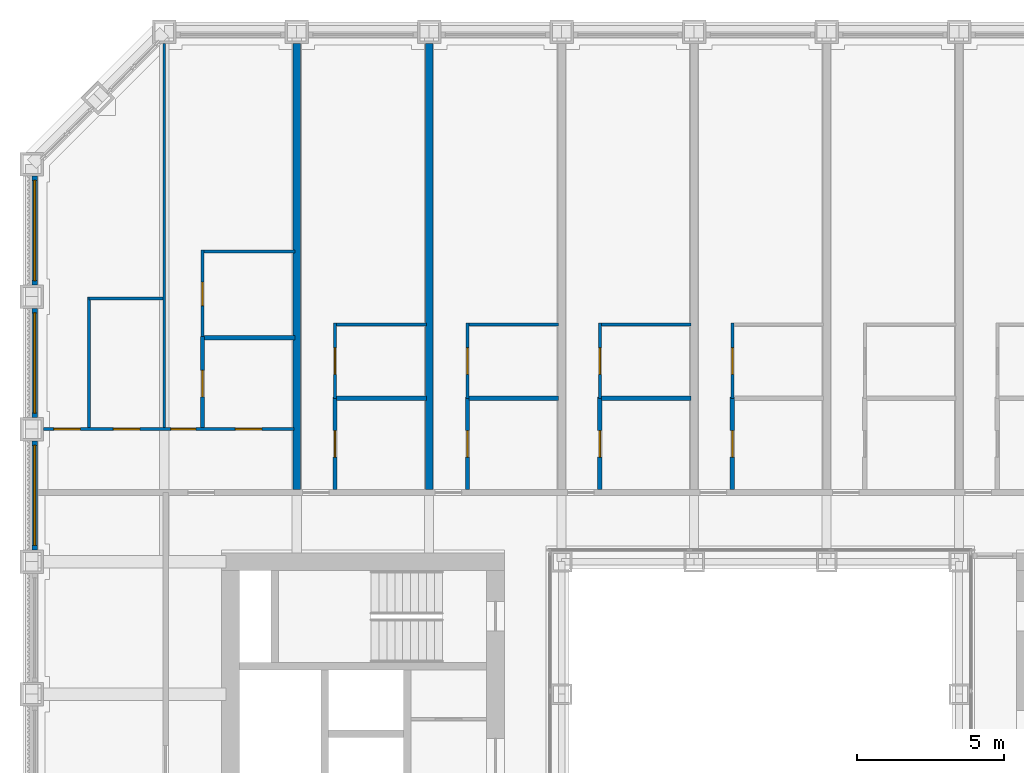
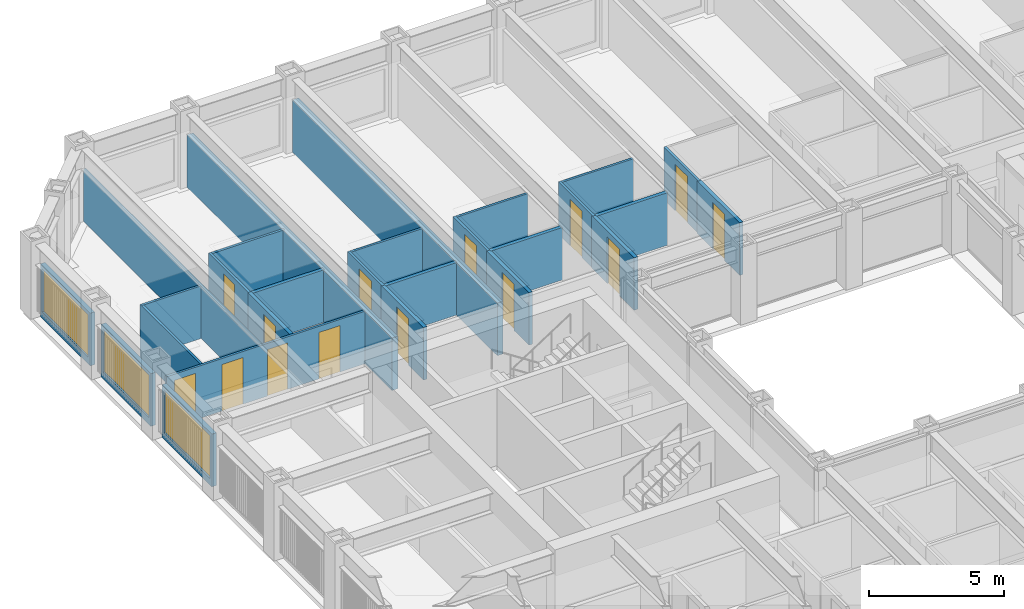
# One storey, part 13 of 21: 27 walls, 14 doors, 3 windows, 17 openings.
"""IFC4 building model written with IfcOpenShell, lengths in metres."""

from ifc_helpers import new_model, si_unit, direction, frame, frame_2d, origin, place, context, subcontext, project, spatial, rectangle, extrude, material, layer, layer_set, type_object, element, fill, save


model = new_model("IFC4")

# Units and contexts
model_context = context("Model", 3, precision=1e-05, world=origin(), true_north=direction((0.0, 1.0)))
body_context = subcontext(model_context, "Body", "Model", "MODEL_VIEW")
ifc_project = project(units=[si_unit("LENGTHUNIT", "METRE"), si_unit("AREAUNIT", "SQUARE_METRE"), si_unit("VOLUMEUNIT", "CUBIC_METRE"), si_unit("PLANEANGLEUNIT", "RADIAN"), si_unit("MASSUNIT", "GRAM", prefix="KILO")], contexts=[model_context])

# Site, building, storey
site_placement = place(None, origin())
site = spatial("IfcSite", under=ifc_project, at=site_placement, CompositionType="ELEMENT")
building_placement = place(site_placement, origin())
building = spatial("IfcBuilding", under=site, at=building_placement, Name="Msasa Ring Tower", CompositionType="ELEMENT")
storey_placement = place(building_placement, frame((0.0, 0.0, 30.0)))
storey = spatial("IfcBuildingStorey", under=building, at=storey_placement, Name="L06", CompositionType="ELEMENT", Elevation=30.0)

# Wall, opening, window
ifc_material_1 = material(Name="Terracotta rainscreen on blockwork", Category="masonry")
ifc_layer_1 = layer(ifc_material_1, 0.199951171875)
ifc_layer_set_1 = layer_set([ifc_layer_1], Name="FW1 TERRACOTTA-LINED INFILL BAY WALL 200")
wall_type_1 = type_object("IfcWallType", Name="FW1 TERRACOTTA-LINED INFILL BAY WALL 200", PredefinedType="SOLIDWALL", material=ifc_layer_set_1)
wall_1_placement = place(storey_placement, frame((-24.64990234375, 7.155029296875, 0.0), z_axis=(0.0, 0.0, 1.0), x_axis=(0.0, 1.0, 0.0)))
wall_1 = element("IfcWall", 1, at=wall_1_placement, inside=storey, type_object=wall_type_1, Name="Infill bay wall W L06 39", PredefinedType="SOLIDWALL", context=body_context, shape_type="SweptSolid", body=[
    extrude(rectangle(XDim=3.68994140625, YDim=0.199951171875, at=frame_2d((1.844970703125, 0.0))), origin(), (0.0, 0.0, 1.0), 2.37890625),
])
opening_1_placement = place(wall_1_placement, frame((0.14501953125, 0.0, 0.300048828125)))
opening_1 = element("IfcOpeningElement", 2, at=opening_1_placement, cuts=wall_1, Name="Opening WN1", PredefinedType="OPENING", context=body_context, shape_type="SweptSolid", body=[
    extrude(rectangle(XDim=3.39990234375, YDim=1.928955078125, at=frame_2d((1.699951171875, 0.96435546875))), frame((0.0, 0.10986328125, 0.0), z_axis=(0.0, -1.0, 0.0), x_axis=(1.0, 0.0, 0.0)), (0.0, 0.0, 1.0), 0.219970703125),
])
ifc_material_2 = material(Name="Aluminium frame with clear glass", Category="aluminium")
window_type = type_object("IfcWindowType", Name="WN1 RESIDENCE WINDOW 3400x1929", PartitioningType="SINGLE_PANEL", PredefinedType="WINDOW", material=ifc_material_2)
window_1_placement = place(opening_1_placement, origin())
window_1 = element("IfcWindow", 3, at=window_1_placement, inside=storey, type_object=window_type, Name="Window W L06 39", OverallHeight=1.928955078125, OverallWidth=3.39990234375, PartitioningType="SINGLE_PANEL", PredefinedType="WINDOW", context=body_context, shape_type="SweptSolid", body=[
    extrude(rectangle(XDim=3.39990234375, YDim=1.928955078125, at=frame_2d((1.699951171875, 0.96435546875))), frame((0.0, 0.030029296875, 0.0), z_axis=(0.0, -1.0, 0.0), x_axis=(1.0, 0.0, 0.0)), (0.0, 0.0, 1.0), 0.06005859375),
])
fill(opening_1, window_1)

wall_2_placement = place(storey_placement, frame((-24.64990234375, 11.655029296875, 0.0), z_axis=(0.0, 0.0, 1.0), x_axis=(0.0, 1.0, 0.0)))
wall_2 = element("IfcWall", 4, at=wall_2_placement, inside=storey, type_object=wall_type_1, Name="Infill bay wall W L06 40", PredefinedType="SOLIDWALL", context=body_context, shape_type="SweptSolid", body=[
    extrude(rectangle(XDim=3.68994140625, YDim=0.199951171875, at=frame_2d((1.844970703125, 0.0))), origin(), (0.0, 0.0, 1.0), 2.37890625),
])
opening_2_placement = place(wall_2_placement, frame((0.14501953125, 0.0, 0.300048828125)))
opening_2 = element("IfcOpeningElement", 5, at=opening_2_placement, cuts=wall_2, Name="Opening WN1", PredefinedType="OPENING", context=body_context, shape_type="SweptSolid", body=[
    extrude(rectangle(XDim=3.39990234375, YDim=1.928955078125, at=frame_2d((1.699951171875, 0.96435546875))), frame((0.0, 0.10986328125, 0.0), z_axis=(0.0, -1.0, 0.0), x_axis=(1.0, 0.0, 0.0)), (0.0, 0.0, 1.0), 0.219970703125),
])
window_2_placement = place(opening_2_placement, origin())
window_2 = element("IfcWindow", 6, at=window_2_placement, inside=storey, type_object=window_type, Name="Window W L06 40", OverallHeight=1.928955078125, OverallWidth=3.39990234375, PartitioningType="SINGLE_PANEL", PredefinedType="WINDOW", context=body_context, shape_type="SweptSolid", body=[
    extrude(rectangle(XDim=3.39990234375, YDim=1.928955078125, at=frame_2d((1.699951171875, 0.96435546875))), frame((0.0, 0.030029296875, 0.0), z_axis=(0.0, -1.0, 0.0), x_axis=(1.0, 0.0, 0.0)), (0.0, 0.0, 1.0), 0.06005859375),
])
fill(opening_2, window_2)

wall_3_placement = place(storey_placement, frame((-24.64990234375, 16.155029296875, 0.0), z_axis=(0.0, 0.0, 1.0), x_axis=(0.0, 1.0, 0.0)))
wall_3 = element("IfcWall", 7, at=wall_3_placement, inside=storey, type_object=wall_type_1, Name="Infill bay wall W L06 41", PredefinedType="SOLIDWALL", context=body_context, shape_type="SweptSolid", body=[
    extrude(rectangle(XDim=3.68994140625, YDim=0.199951171875, at=frame_2d((1.844970703125, 0.0))), origin(), (0.0, 0.0, 1.0), 2.37890625),
])
opening_3_placement = place(wall_3_placement, frame((0.14501953125, 0.0, 0.300048828125)))
opening_3 = element("IfcOpeningElement", 8, at=opening_3_placement, cuts=wall_3, Name="Opening WN1", PredefinedType="OPENING", context=body_context, shape_type="SweptSolid", body=[
    extrude(rectangle(XDim=3.39990234375, YDim=1.928955078125, at=frame_2d((1.699951171875, 0.96435546875))), frame((0.0, 0.10986328125, 0.0), z_axis=(0.0, -1.0, 0.0), x_axis=(1.0, 0.0, 0.0)), (0.0, 0.0, 1.0), 0.219970703125),
])
window_3_placement = place(opening_3_placement, origin())
window_3 = element("IfcWindow", 9, at=window_3_placement, inside=storey, type_object=window_type, Name="Window W L06 41", OverallHeight=1.928955078125, OverallWidth=3.39990234375, PartitioningType="SINGLE_PANEL", PredefinedType="WINDOW", context=body_context, shape_type="SweptSolid", body=[
    extrude(rectangle(XDim=3.39990234375, YDim=1.928955078125, at=frame_2d((1.699951171875, 0.96435546875))), frame((0.0, 0.030029296875, 0.0), z_axis=(0.0, -1.0, 0.0), x_axis=(1.0, 0.0, 0.0)), (0.0, 0.0, 1.0), 0.06005859375),
])
fill(opening_3, window_3)

# Wall, openings, doors
ifc_material_3 = material(Name="Gypsum board on steel studs", Category="steel")
ifc_layer_2 = layer(ifc_material_3, 0.10009765625)
ifc_layer_set_2 = layer_set([ifc_layer_2], Name="PT2 STUD PARTITION 100")
wall_type_2 = type_object("IfcWallType", Name="PT2 STUD PARTITION 100", PredefinedType="PARTITIONING", material=ifc_layer_set_2)
wall_4_placement = place(storey_placement, frame((-24.35009765625, 11.25, 0.0), z_axis=(0.0, 0.0, 1.0), x_axis=(1.0, 0.0, 0.0)))
wall_4 = element("IfcWall", 10, at=wall_4_placement, inside=storey, type_object=wall_type_2, Name="Partition L06-UN00HY", PredefinedType="PARTITIONING", context=body_context, shape_type="SweptSolid", body=[
    extrude(rectangle(XDim=8.5, YDim=0.10009765625, at=frame_2d((4.25, 0.0))), origin(), (0.0, 0.0, 1.0), 2.373291015625),
])
opening_4_placement = place(wall_4_placement, frame((2.375, 0.0, 0.0)))
opening_4 = element("IfcOpeningElement", 11, at=opening_4_placement, cuts=wall_4, Name="Opening RA-013", PredefinedType="OPENING", context=body_context, shape_type="SweptSolid", body=[
    extrude(rectangle(XDim=0.89990234375, YDim=2.10009765625, at=frame_2d((0.449951171875, 1.050048828125))), frame((0.0, 0.06005859375, 0.0), z_axis=(0.0, -1.0, 0.0), x_axis=(1.0, 0.0, 0.0)), (0.0, 0.0, 1.0), 0.1201171875),
])
opening_5_placement = place(wall_4_placement, frame((0.35009765625, 0.0, 0.0)))
opening_5 = element("IfcOpeningElement", 12, at=opening_5_placement, cuts=wall_4, Name="Opening RA-012", PredefinedType="OPENING", context=body_context, shape_type="SweptSolid", body=[
    extrude(rectangle(XDim=0.89990234375, YDim=2.10009765625, at=frame_2d((0.449951171875, 1.050048828125))), frame((0.0, 0.06005859375, 0.0), z_axis=(0.0, -1.0, 0.0), x_axis=(1.0, 0.0, 0.0)), (0.0, 0.0, 1.0), 0.1201171875),
])
opening_6_placement = place(wall_4_placement, frame((4.324951171875, 0.0, 0.0)))
opening_6 = element("IfcOpeningElement", 13, at=opening_6_placement, cuts=wall_4, Name="Opening RA-014", PredefinedType="OPENING", context=body_context, shape_type="SweptSolid", body=[
    extrude(rectangle(XDim=0.85009765625, YDim=2.10009765625, at=frame_2d((0.425048828125, 1.050048828125))), frame((0.0, 0.06005859375, 0.0), z_axis=(0.0, -1.0, 0.0), x_axis=(1.0, 0.0, 0.0)), (0.0, 0.0, 1.0), 0.1201171875),
])
opening_7_placement = place(wall_4_placement, frame((6.52001953125, 0.0, 0.0)))
opening_7 = element("IfcOpeningElement", 14, at=opening_7_placement, cuts=wall_4, Name="Opening RA-015", PredefinedType="OPENING", context=body_context, shape_type="SweptSolid", body=[
    extrude(rectangle(XDim=0.89990234375, YDim=2.10009765625, at=frame_2d((0.449951171875, 1.050048828125))), frame((0.0, 0.06005859375, 0.0), z_axis=(0.0, -1.0, 0.0), x_axis=(1.0, 0.0, 0.0)), (0.0, 0.0, 1.0), 0.1201171875),
])
ifc_material_4 = material(Name="Timber door leaf in a steel frame", Category="steel")
door_type_1 = type_object("IfcDoorType", Name="D14 BEDROOM DOOR 850x2100", OperationType="SINGLE_SWING_LEFT", PredefinedType="DOOR", material=ifc_material_4)
door_1_placement = place(opening_6_placement, origin())
door_1 = element("IfcDoor", 15, at=door_1_placement, inside=storey, type_object=door_type_1, Name="Door L06-UN00R1", OperationType="SINGLE_SWING_RIGHT", OverallHeight=2.10009765625, OverallWidth=0.85009765625, PredefinedType="DOOR", context=body_context, shape_type="SweptSolid", body=[
    extrude(rectangle(XDim=0.85009765625, YDim=2.10009765625, at=frame_2d((0.425048828125, 1.050048828125))), frame((0.0, 0.02490234375, 0.0), z_axis=(0.0, -1.0, 0.0), x_axis=(1.0, 0.0, 0.0)), (0.0, 0.0, 1.0), 0.050048828125),
])
fill(opening_6, door_1)
ifc_material_5 = material(Name="Timber door leaf in a steel frame", Category="steel")
door_type_2 = type_object("IfcDoorType", Name="D22 INTERNAL HALL DOOR 900x2100", OperationType="SINGLE_SWING_LEFT", PredefinedType="DOOR", material=ifc_material_5)
door_2_placement = place(opening_4_placement, origin())
door_2 = element("IfcDoor", 16, at=door_2_placement, inside=storey, type_object=door_type_2, Name="Door L06-UN00K", OperationType="SINGLE_SWING_LEFT", OverallHeight=2.10009765625, OverallWidth=0.89990234375, PredefinedType="DOOR", context=body_context, shape_type="SweptSolid", body=[
    extrude(rectangle(XDim=0.89990234375, YDim=2.10009765625, at=frame_2d((0.449951171875, 1.050048828125))), frame((0.0, 0.02490234375, 0.0), z_axis=(0.0, -1.0, 0.0), x_axis=(1.0, 0.0, 0.0)), (0.0, 0.0, 1.0), 0.050048828125),
])
fill(opening_4, door_2)
door_3_placement = place(opening_5_placement, origin())
door_3 = element("IfcDoor", 17, at=door_3_placement, inside=storey, type_object=door_type_2, Name="Door L06-UN00L", OperationType="SINGLE_SWING_LEFT", OverallHeight=2.10009765625, OverallWidth=0.89990234375, PredefinedType="DOOR", context=body_context, shape_type="SweptSolid", body=[
    extrude(rectangle(XDim=0.89990234375, YDim=2.10009765625, at=frame_2d((0.449951171875, 1.050048828125))), frame((0.0, 0.02490234375, 0.0), z_axis=(0.0, -1.0, 0.0), x_axis=(1.0, 0.0, 0.0)), (0.0, 0.0, 1.0), 0.050048828125),
])
fill(opening_5, door_3)
ifc_material_6 = material(Name="Timber door leaf in a steel frame", Category="steel")
door_type_3 = type_object("IfcDoorType", Name="D3 BATHROOM DOOR 900x2100", OperationType="SINGLE_SWING_LEFT", PredefinedType="DOOR", material=ifc_material_6)
door_4_placement = place(opening_7_placement, origin())
door_4 = element("IfcDoor", 18, at=door_4_placement, inside=storey, type_object=door_type_3, Name="Door L06-UN00BH1", OperationType="SINGLE_SWING_RIGHT", OverallHeight=2.10009765625, OverallWidth=0.89990234375, PredefinedType="DOOR", context=body_context, shape_type="SweptSolid", body=[
    extrude(rectangle(XDim=0.89990234375, YDim=2.10009765625, at=frame_2d((0.449951171875, 1.050048828125))), frame((0.0, 0.02490234375, 0.0), z_axis=(0.0, -1.0, 0.0), x_axis=(1.0, 0.0, 0.0)), (0.0, 0.0, 1.0), 0.050048828125),
])
fill(opening_7, door_4)

# Walls
wall_5_placement = place(storey_placement, frame((-22.800048828125, 11.300048828125, 0.0), z_axis=(0.0, 0.0, 1.0), x_axis=(0.0, 1.0, 0.0)))
element("IfcWall", 19, at=wall_5_placement, inside=storey, type_object=wall_type_2, Name="Partition L06-UN00KX", PredefinedType="PARTITIONING", context=body_context, shape_type="SweptSolid", body=[
    extrude(rectangle(XDim=4.442138671875, YDim=0.10009765625, at=frame_2d((2.22119140625, 0.0))), origin(), (0.0, 0.0, 1.0), 2.373291015625),
])
wall_6_placement = place(storey_placement, frame((-22.800048828125, 15.692138671875, 0.0), z_axis=(0.0, 0.0, 1.0), x_axis=(1.0, 0.0, 0.0)))
element("IfcWall", 20, at=wall_6_placement, inside=storey, type_object=wall_type_2, Name="Partition L06-UN00KY", PredefinedType="PARTITIONING", context=body_context, shape_type="SweptSolid", body=[
    extrude(rectangle(XDim=2.5, YDim=0.10009765625, at=frame_2d((1.25, 0.0))), origin(), (0.0, 0.0, 1.0), 2.373291015625),
])
wall_7_placement = place(storey_placement, frame((-20.25, 11.300048828125, 0.0), z_axis=(0.0, 0.0, 1.0), x_axis=(0.0, 1.0, 0.0)))
element("IfcWall", 21, at=wall_7_placement, inside=storey, type_object=wall_type_2, Name="Partition L06-UN00P1", PredefinedType="PARTITIONING", context=body_context, shape_type="SweptSolid", body=[
    extrude(rectangle(XDim=13.050048828125, YDim=0.10009765625, at=frame_2d((6.52490234375, 0.0))), origin(), (0.0, 0.0, 1.0), 2.373291015625),
])

# Wall, opening, door
wall_8_placement = place(storey_placement, frame((-18.949951171875, 14.39990234375, 0.0), z_axis=(0.0, 0.0, 1.0), x_axis=(0.0, 1.0, 0.0)))
wall_8 = element("IfcWall", 22, at=wall_8_placement, inside=storey, type_object=wall_type_2, Name="Partition L06-UN00WX1", PredefinedType="PARTITIONING", context=body_context, shape_type="SweptSolid", body=[
    extrude(rectangle(XDim=2.94091796875, YDim=0.10009765625, at=frame_2d((1.470458984375, 0.0))), origin(), (0.0, 0.0, 1.0), 2.373291015625),
])
opening_8_placement = place(wall_8_placement, frame((1.04541015625, 0.0, 0.0)))
opening_8 = element("IfcOpeningElement", 23, at=opening_8_placement, cuts=wall_8, Name="Opening RA-001", PredefinedType="OPENING", context=body_context, shape_type="SweptSolid", body=[
    extrude(rectangle(XDim=0.800048828125, YDim=2.10009765625, at=frame_2d((0.39990234375, 1.050048828125))), frame((0.0, 0.06005859375, 0.0), z_axis=(0.0, -1.0, 0.0), x_axis=(1.0, 0.0, 0.0)), (0.0, 0.0, 1.0), 0.1201171875),
])
ifc_material_7 = material(Name="Timber door leaf in a steel frame", Category="steel")
door_type_4 = type_object("IfcDoorType", Name="D60 DRESSING ROOM DOOR 800x2100", OperationType="SINGLE_SWING_LEFT", PredefinedType="DOOR", material=ifc_material_7)
door_5_placement = place(opening_8_placement, origin())
door_5 = element("IfcDoor", 24, at=door_5_placement, inside=storey, type_object=door_type_4, Name="Door L06-UN00W1", OperationType="SINGLE_SWING_LEFT", OverallHeight=2.10009765625, OverallWidth=0.800048828125, PredefinedType="DOOR", context=body_context, shape_type="SweptSolid", body=[
    extrude(rectangle(XDim=0.800048828125, YDim=2.10009765625, at=frame_2d((0.39990234375, 1.050048828125))), frame((0.0, 0.02490234375, 0.0), z_axis=(0.0, -1.0, 0.0), x_axis=(1.0, 0.0, 0.0)), (0.0, 0.0, 1.0), 0.050048828125),
])
fill(opening_8, door_5)

# Walls
wall_9_placement = place(storey_placement, frame((-18.949951171875, 17.291015625, 0.0), z_axis=(0.0, 0.0, 1.0), x_axis=(1.0, 0.0, 0.0)))
element("IfcWall", 25, at=wall_9_placement, inside=storey, type_object=wall_type_2, Name="Partition L06-UN00WY1", PredefinedType="PARTITIONING", context=body_context, shape_type="SweptSolid", body=[
    extrude(rectangle(XDim=3.139892578125, YDim=0.10009765625, at=frame_2d((1.56982421875, 0.0))), origin(), (0.0, 0.0, 1.0), 2.373291015625),
])
wall_10_placement = place(storey_placement, frame((-14.39990234375, 14.800048828125, 0.0), z_axis=(0.0, 0.0, 1.0), x_axis=(1.0, 0.0, 0.0)))
element("IfcWall", 26, at=wall_10_placement, inside=storey, type_object=wall_type_2, Name="Partition L06-UN01KY", PredefinedType="PARTITIONING", context=body_context, shape_type="SweptSolid", body=[
    extrude(rectangle(XDim=3.0498046875, YDim=0.10009765625, at=frame_2d((1.52490234375, 0.0))), origin(), (0.0, 0.0, 1.0), 2.373291015625),
])

# Wall, opening, door
wall_11_placement = place(storey_placement, frame((-14.449951171875, 12.300048828125, 0.0), z_axis=(0.0, 0.0, 1.0), x_axis=(0.0, 1.0, 0.0)))
wall_11 = element("IfcWall", 27, at=wall_11_placement, inside=storey, type_object=wall_type_2, Name="Partition L06-UN01KX", PredefinedType="PARTITIONING", context=body_context, shape_type="SweptSolid", body=[
    extrude(rectangle(XDim=2.550048828125, YDim=0.10009765625, at=frame_2d((1.27490234375, 0.0))), origin(), (0.0, 0.0, 1.0), 2.373291015625),
])
opening_9_placement = place(wall_11_placement, frame((0.81005859375, 0.0, 0.0)))
opening_9 = element("IfcOpeningElement", 28, at=opening_9_placement, cuts=wall_11, Name="Opening RA-003", PredefinedType="OPENING", context=body_context, shape_type="SweptSolid", body=[
    extrude(rectangle(XDim=0.89990234375, YDim=2.10009765625, at=frame_2d((0.449951171875, 1.050048828125))), frame((0.0, 0.06005859375, 0.0), z_axis=(0.0, -1.0, 0.0), x_axis=(1.0, 0.0, 0.0)), (0.0, 0.0, 1.0), 0.1201171875),
])
door_6_placement = place(opening_9_placement, origin())
door_6 = element("IfcDoor", 29, at=door_6_placement, inside=storey, type_object=door_type_2, Name="Door L06-UN01K", OperationType="SINGLE_SWING_LEFT", OverallHeight=2.10009765625, OverallWidth=0.89990234375, PredefinedType="DOOR", context=body_context, shape_type="SweptSolid", body=[
    extrude(rectangle(XDim=0.89990234375, YDim=2.10009765625, at=frame_2d((0.449951171875, 1.050048828125))), frame((0.0, 0.02490234375, 0.0), z_axis=(0.0, -1.0, 0.0), x_axis=(1.0, 0.0, 0.0)), (0.0, 0.0, 1.0), 0.050048828125),
])
fill(opening_9, door_6)

# Wall
wall_12_placement = place(storey_placement, frame((-9.89990234375, 14.800048828125, 0.0), z_axis=(0.0, 0.0, 1.0), x_axis=(1.0, 0.0, 0.0)))
element("IfcWall", 30, at=wall_12_placement, inside=storey, type_object=wall_type_2, Name="Partition L06-UN02KY", PredefinedType="PARTITIONING", context=body_context, shape_type="SweptSolid", body=[
    extrude(rectangle(XDim=3.0498046875, YDim=0.10009765625, at=frame_2d((1.52490234375, 0.0))), origin(), (0.0, 0.0, 1.0), 2.373291015625),
])

# Wall, opening, door
wall_13_placement = place(storey_placement, frame((-9.949951171875, 12.300048828125, 0.0), z_axis=(0.0, 0.0, 1.0), x_axis=(0.0, 1.0, 0.0)))
wall_13 = element("IfcWall", 31, at=wall_13_placement, inside=storey, type_object=wall_type_2, Name="Partition L06-UN02KX", PredefinedType="PARTITIONING", context=body_context, shape_type="SweptSolid", body=[
    extrude(rectangle(XDim=2.550048828125, YDim=0.10009765625, at=frame_2d((1.27490234375, 0.0))), origin(), (0.0, 0.0, 1.0), 2.373291015625),
])
opening_10_placement = place(wall_13_placement, frame((0.81005859375, 0.0, 0.0)))
opening_10 = element("IfcOpeningElement", 32, at=opening_10_placement, cuts=wall_13, Name="Opening RA-004", PredefinedType="OPENING", context=body_context, shape_type="SweptSolid", body=[
    extrude(rectangle(XDim=0.89990234375, YDim=2.10009765625, at=frame_2d((0.449951171875, 1.050048828125))), frame((0.0, 0.06005859375, 0.0), z_axis=(0.0, -1.0, 0.0), x_axis=(1.0, 0.0, 0.0)), (0.0, 0.0, 1.0), 0.1201171875),
])
door_7_placement = place(opening_10_placement, origin())
door_7 = element("IfcDoor", 33, at=door_7_placement, inside=storey, type_object=door_type_2, Name="Door L06-UN02K", OperationType="SINGLE_SWING_LEFT", OverallHeight=2.10009765625, OverallWidth=0.89990234375, PredefinedType="DOOR", context=body_context, shape_type="SweptSolid", body=[
    extrude(rectangle(XDim=0.89990234375, YDim=2.10009765625, at=frame_2d((0.449951171875, 1.050048828125))), frame((0.0, 0.02490234375, 0.0), z_axis=(0.0, -1.0, 0.0), x_axis=(1.0, 0.0, 0.0)), (0.0, 0.0, 1.0), 0.050048828125),
])
fill(opening_10, door_7)

# Wall
wall_14_placement = place(storey_placement, frame((-5.39990234375, 14.800048828125, 0.0), z_axis=(0.0, 0.0, 1.0), x_axis=(1.0, 0.0, 0.0)))
element("IfcWall", 34, at=wall_14_placement, inside=storey, type_object=wall_type_2, Name="Partition L06-UN03KY", PredefinedType="PARTITIONING", context=body_context, shape_type="SweptSolid", body=[
    extrude(rectangle(XDim=3.0498046875, YDim=0.10009765625, at=frame_2d((1.52490234375, 0.0))), origin(), (0.0, 0.0, 1.0), 2.373291015625),
])

# Wall, opening, door
wall_15_placement = place(storey_placement, frame((-5.449951171875, 12.300048828125, 0.0), z_axis=(0.0, 0.0, 1.0), x_axis=(0.0, 1.0, 0.0)))
wall_15 = element("IfcWall", 35, at=wall_15_placement, inside=storey, type_object=wall_type_2, Name="Partition L06-UN03KX", PredefinedType="PARTITIONING", context=body_context, shape_type="SweptSolid", body=[
    extrude(rectangle(XDim=2.550048828125, YDim=0.10009765625, at=frame_2d((1.27490234375, 0.0))), origin(), (0.0, 0.0, 1.0), 2.373291015625),
])
opening_11_placement = place(wall_15_placement, frame((0.81005859375, 0.0, 0.0)))
opening_11 = element("IfcOpeningElement", 36, at=opening_11_placement, cuts=wall_15, Name="Opening RA-005", PredefinedType="OPENING", context=body_context, shape_type="SweptSolid", body=[
    extrude(rectangle(XDim=0.89990234375, YDim=2.10009765625, at=frame_2d((0.449951171875, 1.050048828125))), frame((0.0, 0.06005859375, 0.0), z_axis=(0.0, -1.0, 0.0), x_axis=(1.0, 0.0, 0.0)), (0.0, 0.0, 1.0), 0.1201171875),
])
door_8_placement = place(opening_11_placement, origin())
door_8 = element("IfcDoor", 37, at=door_8_placement, inside=storey, type_object=door_type_2, Name="Door L06-UN03K", OperationType="SINGLE_SWING_LEFT", OverallHeight=2.10009765625, OverallWidth=0.89990234375, PredefinedType="DOOR", context=body_context, shape_type="SweptSolid", body=[
    extrude(rectangle(XDim=0.89990234375, YDim=2.10009765625, at=frame_2d((0.449951171875, 1.050048828125))), frame((0.0, 0.02490234375, 0.0), z_axis=(0.0, -1.0, 0.0), x_axis=(1.0, 0.0, 0.0)), (0.0, 0.0, 1.0), 0.050048828125),
])
fill(opening_11, door_8)

wall_16_placement = place(storey_placement, frame((-0.949951171875, 12.300048828125, 0.0), z_axis=(0.0, 0.0, 1.0), x_axis=(0.0, 1.0, 0.0)))
wall_16 = element("IfcWall", 38, at=wall_16_placement, inside=storey, type_object=wall_type_2, Name="Partition L06-UN04KX", PredefinedType="PARTITIONING", context=body_context, shape_type="SweptSolid", body=[
    extrude(rectangle(XDim=2.550048828125, YDim=0.10009765625, at=frame_2d((1.27490234375, 0.0))), origin(), (0.0, 0.0, 1.0), 2.373291015625),
])
opening_12_placement = place(wall_16_placement, frame((0.81005859375, 0.0, 0.0)))
opening_12 = element("IfcOpeningElement", 39, at=opening_12_placement, cuts=wall_16, Name="Opening RA-006", PredefinedType="OPENING", context=body_context, shape_type="SweptSolid", body=[
    extrude(rectangle(XDim=0.89990234375, YDim=2.10009765625, at=frame_2d((0.449951171875, 1.050048828125))), frame((0.0, 0.06005859375, 0.0), z_axis=(0.0, -1.0, 0.0), x_axis=(1.0, 0.0, 0.0)), (0.0, 0.0, 1.0), 0.1201171875),
])
door_9_placement = place(opening_12_placement, origin())
door_9 = element("IfcDoor", 40, at=door_9_placement, inside=storey, type_object=door_type_2, Name="Door L06-UN04K", OperationType="SINGLE_SWING_LEFT", OverallHeight=2.10009765625, OverallWidth=0.89990234375, PredefinedType="DOOR", context=body_context, shape_type="SweptSolid", body=[
    extrude(rectangle(XDim=0.89990234375, YDim=2.10009765625, at=frame_2d((0.449951171875, 1.050048828125))), frame((0.0, 0.02490234375, 0.0), z_axis=(0.0, -1.0, 0.0), x_axis=(1.0, 0.0, 0.0)), (0.0, 0.0, 1.0), 0.050048828125),
])
fill(opening_12, door_9)

# Walls
ifc_material_8 = material(Name="Dense concrete blockwork, plastered both faces", Category="masonry")
ifc_layer_3 = layer(ifc_material_8, 0.25)
ifc_layer_set_3 = layer_set([ifc_layer_3], Name="PT3 APARTMENT SEPARATING WALL 250")
wall_type_3 = type_object("IfcWallType", Name="PT3 APARTMENT SEPARATING WALL 250", PredefinedType="PARTITIONING", material=ifc_layer_set_3)
for number, where, z_axis, x_axis, name in (
    (41, (-15.75, 9.199951171875, 0.0), (0.0, 0.0, 1.0), (0.0, 1.0, 0.0), "Party wall L06-PWN-15.75"),
    (42, (-11.25, 9.199951171875, 0.0), (0.0, 0.0, 1.0), (0.0, 1.0, 0.0), "Party wall L06-PWN-11.25"),
):
    element("IfcWall", number, at=place(storey_placement, frame(where, z_axis=z_axis, x_axis=x_axis)), inside=storey, type_object=wall_type_3, Name=name, PredefinedType="PARTITIONING", context=body_context, shape_type="SweptSolid", body=[
        extrude(rectangle(XDim=15.150146484375, YDim=0.25, at=frame_2d((7.5751953125, 0.0))), origin(), (0.0, 0.0, 1.0), 2.373291015625),
    ])

# Wall, opening, door
ifc_material_9 = material(Name="Moisture-resistant board on steel studs with a concealed cistern and pipe void, tiled", Category="steel")
ifc_layer_4 = layer(ifc_material_9, 0.14990234375)
ifc_layer_set_4 = layer_set([ifc_layer_4], Name="PT4 BATHROOM WET WALL 150")
wall_type_4 = type_object("IfcWallType", Name="PT4 BATHROOM WET WALL 150", PredefinedType="PARTITIONING", material=ifc_layer_set_4)
wall_17_placement = place(storey_placement, frame((-18.949951171875, 11.300048828125, 0.0), z_axis=(0.0, 0.0, 1.0), x_axis=(0.0, 1.0, 0.0)))
wall_17 = element("IfcWall", 43, at=wall_17_placement, inside=storey, type_object=wall_type_4, Name="Partition L06-UN00BX1", PredefinedType="PARTITIONING", context=body_context, shape_type="SweptSolid", body=[
    extrude(rectangle(XDim=3.099853515625, YDim=0.14990234375, at=frame_2d((1.5498046875, 0.0))), origin(), (0.0, 0.0, 1.0), 2.373291015625),
])
opening_13_placement = place(wall_17_placement, frame((1.050048828125, 0.0, 0.0)))
opening_13 = element("IfcOpeningElement", 44, at=opening_13_placement, cuts=wall_17, Name="Opening RA-010", PredefinedType="OPENING", context=body_context, shape_type="SweptSolid", body=[
    extrude(rectangle(XDim=0.89990234375, YDim=2.10009765625, at=frame_2d((0.449951171875, 1.050048828125))), frame((0.0, 0.0849609375, 0.0), z_axis=(0.0, -1.0, 0.0), x_axis=(1.0, 0.0, 0.0)), (0.0, 0.0, 1.0), 0.169921875),
])
door_10_placement = place(opening_13_placement, origin())
door_10 = element("IfcDoor", 45, at=door_10_placement, inside=storey, type_object=door_type_3, Name="Door L06-UN00B1", OperationType="SINGLE_SWING_LEFT", OverallHeight=2.10009765625, OverallWidth=0.89990234375, PredefinedType="DOOR", context=body_context, shape_type="SweptSolid", body=[
    extrude(rectangle(XDim=0.89990234375, YDim=2.10009765625, at=frame_2d((0.449951171875, 1.050048828125))), frame((0.0, 0.02490234375, 0.0), z_axis=(0.0, -1.0, 0.0), x_axis=(1.0, 0.0, 0.0)), (0.0, 0.0, 1.0), 0.050048828125),
])
fill(opening_13, door_10)

# Wall
wall_18_placement = place(storey_placement, frame((-18.949951171875, 14.35009765625, 0.0), z_axis=(0.0, 0.0, 1.0), x_axis=(1.0, 0.0, 0.0)))
element("IfcWall", 46, at=wall_18_placement, inside=storey, type_object=wall_type_4, Name="Partition L06-UN00BY1", PredefinedType="PARTITIONING", context=body_context, shape_type="SweptSolid", body=[
    extrude(rectangle(XDim=3.139892578125, YDim=0.14990234375, at=frame_2d((1.56982421875, 0.0))), origin(), (0.0, 0.0, 1.0), 2.373291015625),
])

# Wall, opening, door
wall_19_placement = place(storey_placement, frame((-14.449951171875, 9.199951171875, 0.0), z_axis=(0.0, 0.0, 1.0), x_axis=(0.0, 1.0, 0.0)))
wall_19 = element("IfcWall", 47, at=wall_19_placement, inside=storey, type_object=wall_type_4, Name="Partition L06-UN01BX", PredefinedType="PARTITIONING", context=body_context, shape_type="SweptSolid", body=[
    extrude(rectangle(XDim=3.150146484375, YDim=0.14990234375, at=frame_2d((1.5751953125, 0.0))), origin(), (0.0, 0.0, 1.0), 2.373291015625),
])
opening_14_placement = place(wall_19_placement, frame((1.10009765625, 0.0, 0.0)))
opening_14 = element("IfcOpeningElement", 48, at=opening_14_placement, cuts=wall_19, Name="Opening RA-020", PredefinedType="OPENING", context=body_context, shape_type="SweptSolid", body=[
    extrude(rectangle(XDim=0.89990234375, YDim=2.10009765625, at=frame_2d((0.449951171875, 1.050048828125))), frame((0.0, 0.0849609375, 0.0), z_axis=(0.0, -1.0, 0.0), x_axis=(1.0, 0.0, 0.0)), (0.0, 0.0, 1.0), 0.169921875),
])
door_11_placement = place(opening_14_placement, origin())
door_11 = element("IfcDoor", 49, at=door_11_placement, inside=storey, type_object=door_type_3, Name="Door L06-UN01B", OperationType="SINGLE_SWING_LEFT", OverallHeight=2.10009765625, OverallWidth=0.89990234375, PredefinedType="DOOR", context=body_context, shape_type="SweptSolid", body=[
    extrude(rectangle(XDim=0.89990234375, YDim=2.10009765625, at=frame_2d((0.449951171875, 1.050048828125))), frame((0.0, 0.02490234375, 0.0), z_axis=(0.0, -1.0, 0.0), x_axis=(1.0, 0.0, 0.0)), (0.0, 0.0, 1.0), 0.050048828125),
])
fill(opening_14, door_11)

# Wall
wall_20_placement = place(storey_placement, frame((-14.39990234375, 12.300048828125, 0.0), z_axis=(0.0, 0.0, 1.0), x_axis=(1.0, 0.0, 0.0)))
element("IfcWall", 50, at=wall_20_placement, inside=storey, type_object=wall_type_4, Name="Partition L06-UN01BY", PredefinedType="PARTITIONING", context=body_context, shape_type="SweptSolid", body=[
    extrude(rectangle(XDim=3.0498046875, YDim=0.14990234375, at=frame_2d((1.52490234375, 0.0))), origin(), (0.0, 0.0, 1.0), 2.373291015625),
])

# Wall, opening, door
wall_21_placement = place(storey_placement, frame((-9.949951171875, 9.199951171875, 0.0), z_axis=(0.0, 0.0, 1.0), x_axis=(0.0, 1.0, 0.0)))
wall_21 = element("IfcWall", 51, at=wall_21_placement, inside=storey, type_object=wall_type_4, Name="Partition L06-UN02BX", PredefinedType="PARTITIONING", context=body_context, shape_type="SweptSolid", body=[
    extrude(rectangle(XDim=3.150146484375, YDim=0.14990234375, at=frame_2d((1.5751953125, 0.0))), origin(), (0.0, 0.0, 1.0), 2.373291015625),
])
opening_15_placement = place(wall_21_placement, frame((1.10009765625, 0.0, 0.0)))
opening_15 = element("IfcOpeningElement", 52, at=opening_15_placement, cuts=wall_21, Name="Opening RA-021", PredefinedType="OPENING", context=body_context, shape_type="SweptSolid", body=[
    extrude(rectangle(XDim=0.89990234375, YDim=2.10009765625, at=frame_2d((0.449951171875, 1.050048828125))), frame((0.0, 0.0849609375, 0.0), z_axis=(0.0, -1.0, 0.0), x_axis=(1.0, 0.0, 0.0)), (0.0, 0.0, 1.0), 0.169921875),
])
door_12_placement = place(opening_15_placement, origin())
door_12 = element("IfcDoor", 53, at=door_12_placement, inside=storey, type_object=door_type_3, Name="Door L06-UN02B", OperationType="SINGLE_SWING_LEFT", OverallHeight=2.10009765625, OverallWidth=0.89990234375, PredefinedType="DOOR", context=body_context, shape_type="SweptSolid", body=[
    extrude(rectangle(XDim=0.89990234375, YDim=2.10009765625, at=frame_2d((0.449951171875, 1.050048828125))), frame((0.0, 0.02490234375, 0.0), z_axis=(0.0, -1.0, 0.0), x_axis=(1.0, 0.0, 0.0)), (0.0, 0.0, 1.0), 0.050048828125),
])
fill(opening_15, door_12)

# Wall
wall_22_placement = place(storey_placement, frame((-9.89990234375, 12.300048828125, 0.0), z_axis=(0.0, 0.0, 1.0), x_axis=(1.0, 0.0, 0.0)))
element("IfcWall", 54, at=wall_22_placement, inside=storey, type_object=wall_type_4, Name="Partition L06-UN02BY", PredefinedType="PARTITIONING", context=body_context, shape_type="SweptSolid", body=[
    extrude(rectangle(XDim=3.0498046875, YDim=0.14990234375, at=frame_2d((1.52490234375, 0.0))), origin(), (0.0, 0.0, 1.0), 2.373291015625),
])

# Wall, opening, door
wall_23_placement = place(storey_placement, frame((-5.449951171875, 9.199951171875, 0.0), z_axis=(0.0, 0.0, 1.0), x_axis=(0.0, 1.0, 0.0)))
wall_23 = element("IfcWall", 55, at=wall_23_placement, inside=storey, type_object=wall_type_4, Name="Partition L06-UN03BX", PredefinedType="PARTITIONING", context=body_context, shape_type="SweptSolid", body=[
    extrude(rectangle(XDim=3.150146484375, YDim=0.14990234375, at=frame_2d((1.5751953125, 0.0))), origin(), (0.0, 0.0, 1.0), 2.373291015625),
])
opening_16_placement = place(wall_23_placement, frame((1.10009765625, 0.0, 0.0)))
opening_16 = element("IfcOpeningElement", 56, at=opening_16_placement, cuts=wall_23, Name="Opening RA-022", PredefinedType="OPENING", context=body_context, shape_type="SweptSolid", body=[
    extrude(rectangle(XDim=0.89990234375, YDim=2.10009765625, at=frame_2d((0.449951171875, 1.050048828125))), frame((0.0, 0.0849609375, 0.0), z_axis=(0.0, -1.0, 0.0), x_axis=(1.0, 0.0, 0.0)), (0.0, 0.0, 1.0), 0.169921875),
])
door_13_placement = place(opening_16_placement, origin())
door_13 = element("IfcDoor", 57, at=door_13_placement, inside=storey, type_object=door_type_3, Name="Door L06-UN03B", OperationType="SINGLE_SWING_LEFT", OverallHeight=2.10009765625, OverallWidth=0.89990234375, PredefinedType="DOOR", context=body_context, shape_type="SweptSolid", body=[
    extrude(rectangle(XDim=0.89990234375, YDim=2.10009765625, at=frame_2d((0.449951171875, 1.050048828125))), frame((0.0, 0.02490234375, 0.0), z_axis=(0.0, -1.0, 0.0), x_axis=(1.0, 0.0, 0.0)), (0.0, 0.0, 1.0), 0.050048828125),
])
fill(opening_16, door_13)

# Wall
wall_24_placement = place(storey_placement, frame((-5.39990234375, 12.300048828125, 0.0), z_axis=(0.0, 0.0, 1.0), x_axis=(1.0, 0.0, 0.0)))
element("IfcWall", 58, at=wall_24_placement, inside=storey, type_object=wall_type_4, Name="Partition L06-UN03BY", PredefinedType="PARTITIONING", context=body_context, shape_type="SweptSolid", body=[
    extrude(rectangle(XDim=3.0498046875, YDim=0.14990234375, at=frame_2d((1.52490234375, 0.0))), origin(), (0.0, 0.0, 1.0), 2.373291015625),
])

# Wall, opening, door
wall_25_placement = place(storey_placement, frame((-0.949951171875, 9.199951171875, 0.0), z_axis=(0.0, 0.0, 1.0), x_axis=(0.0, 1.0, 0.0)))
wall_25 = element("IfcWall", 59, at=wall_25_placement, inside=storey, type_object=wall_type_4, Name="Partition L06-UN04BX", PredefinedType="PARTITIONING", context=body_context, shape_type="SweptSolid", body=[
    extrude(rectangle(XDim=3.150146484375, YDim=0.14990234375, at=frame_2d((1.5751953125, 0.0))), origin(), (0.0, 0.0, 1.0), 2.373291015625),
])
opening_17_placement = place(wall_25_placement, frame((1.10009765625, 0.0, 0.0)))
opening_17 = element("IfcOpeningElement", 60, at=opening_17_placement, cuts=wall_25, Name="Opening RA-023", PredefinedType="OPENING", context=body_context, shape_type="SweptSolid", body=[
    extrude(rectangle(XDim=0.89990234375, YDim=2.10009765625, at=frame_2d((0.449951171875, 1.050048828125))), frame((0.0, 0.0849609375, 0.0), z_axis=(0.0, -1.0, 0.0), x_axis=(1.0, 0.0, 0.0)), (0.0, 0.0, 1.0), 0.169921875),
])
door_14_placement = place(opening_17_placement, origin())
door_14 = element("IfcDoor", 61, at=door_14_placement, inside=storey, type_object=door_type_3, Name="Door L06-UN04B", OperationType="SINGLE_SWING_LEFT", OverallHeight=2.10009765625, OverallWidth=0.89990234375, PredefinedType="DOOR", context=body_context, shape_type="SweptSolid", body=[
    extrude(rectangle(XDim=0.89990234375, YDim=2.10009765625, at=frame_2d((0.449951171875, 1.050048828125))), frame((0.0, 0.02490234375, 0.0), z_axis=(0.0, -1.0, 0.0), x_axis=(1.0, 0.0, 0.0)), (0.0, 0.0, 1.0), 0.050048828125),
])
fill(opening_17, door_14)

save(model, "model.ifc")
